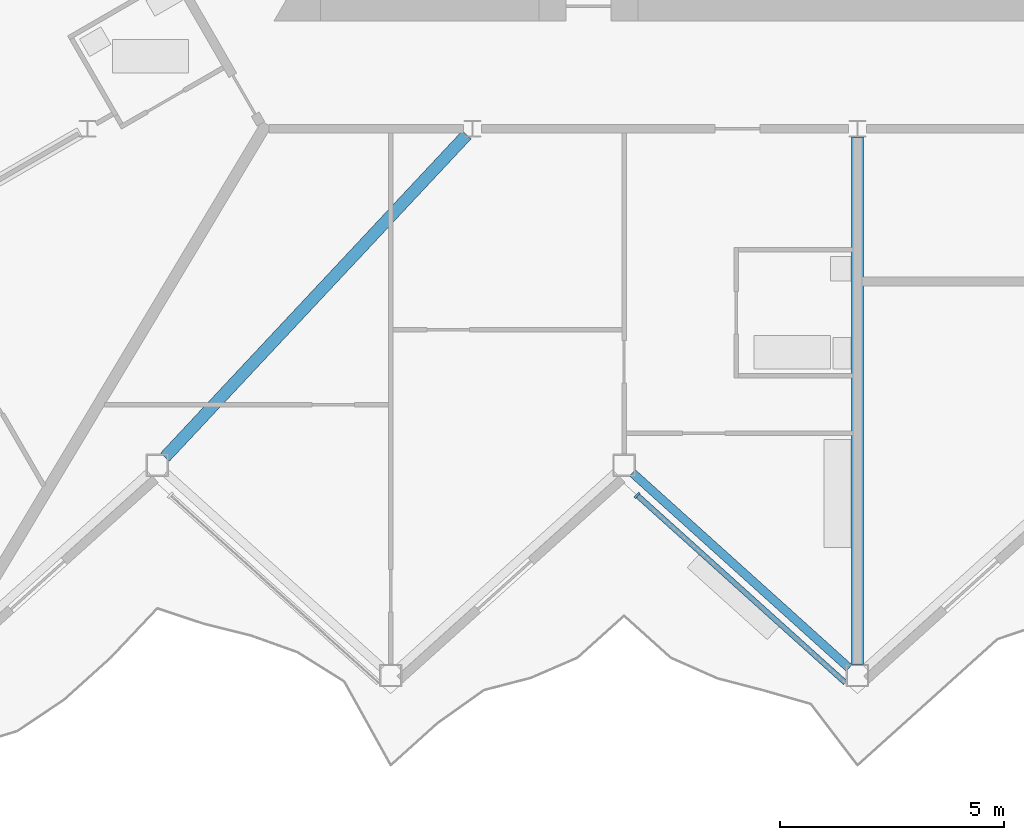
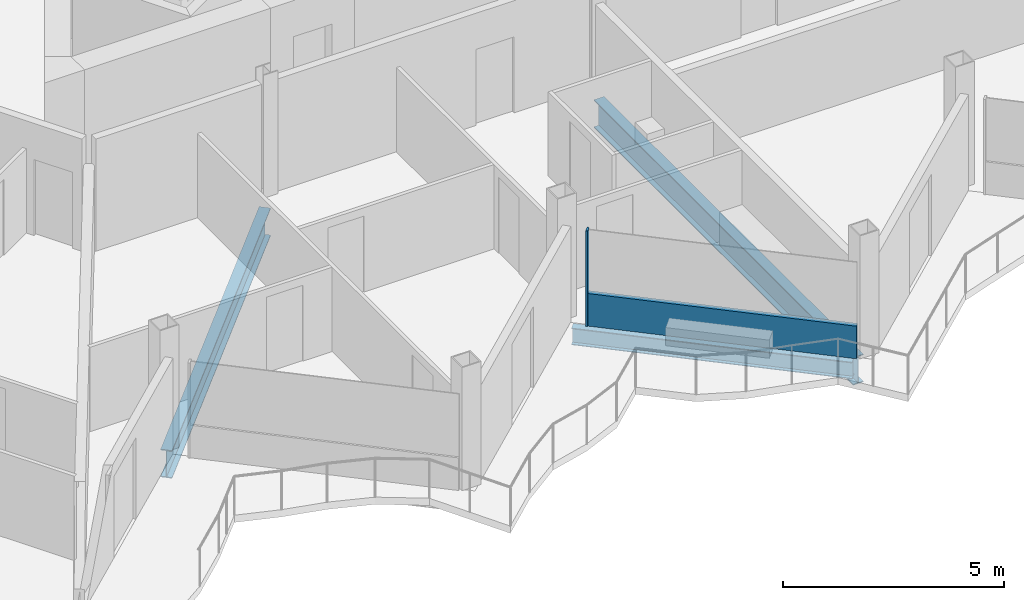
# One storey, part 5 of 26: 3 beams, 2 members, 1 element without a shape of its own.
"""IFC4 building model written with IfcOpenShell, lengths in metres."""

import ifcopenshell
import ifcopenshell.guid

model = None  # the IFC model being written
_history = None  # IfcOwnerHistory: only IFC2X3 demands one
_inside = {}  # id of a spatial element -> (the spatial element, [elements in it])
_under = {}  # id of a project, library or spatial element -> (it, [spatial elements below it])
_declared = {}  # id of a project -> (the project, [libraries it declares])
_typed = {}  # id of a type object -> (the type object, [elements of that type])
_made_of = {}  # id of a material, layer set ... -> (it, [elements and type objects made of it])


def new_model(schema):
    """Start an empty IFC model of exactly this schema.

    Asked for "IFC4X3", IfcOpenShell would pick the latest addendum, in which some entities
    have other attributes; the version numbers below select the first issue.
    IFC2X3 requires an IfcOwnerHistory on every rooted entity: one is made here for all.
    """
    global model, _history
    if schema == "IFC4X3":
        model = ifcopenshell.file(schema_version=(4, 3, 0, 0))
    else:
        model = ifcopenshell.file(schema=schema)
    _inside.clear()
    _under.clear()
    _declared.clear()
    _typed.clear()
    _made_of.clear()
    _history = None
    if model.schema == "IFC2X3":
        org = make("IfcOrganization", Name="unknown")
        user = make(
            "IfcPersonAndOrganization",
            ThePerson=make("IfcPerson", FamilyName="unknown"),
            TheOrganization=org,
        )
        app = make(
            "IfcApplication",
            ApplicationDeveloper=org,
            Version="unknown",
            ApplicationFullName="unknown",
            ApplicationIdentifier="unknown",
        )
        _history = make(
            "IfcOwnerHistory",
            OwningUser=user,
            OwningApplication=app,
            ChangeAction="ADDED",
            CreationDate=0,
        )
    return model


def make(cls, **values):
    """One entity of the class cls with the attributes given. An attribute that is None is left unset."""
    return model.create_entity(
        cls, **{name: value for name, value in values.items() if value is not None}
    )


def rooted(cls, **values):
    """An entity with a GlobalId (a new one), such as an element, a storey or a relation."""
    return make(cls, GlobalId=ifcopenshell.guid.new(), OwnerHistory=_history, **values)


def si_unit(unit_type, name, prefix=None):
    """IfcSIUnit, for example si_unit("LENGTHUNIT", "METRE", prefix="MILLI")."""
    return make("IfcSIUnit", UnitType=unit_type, Prefix=prefix, Name=name)


def assignment(units):
    """IfcUnitAssignment: the units of a project."""
    return None if units is None else make("IfcUnitAssignment", Units=units)


def point(xyz):
    """IfcCartesianPoint."""
    return None if xyz is None else make("IfcCartesianPoint", Coordinates=xyz)


def direction(xyz):
    """IfcDirection."""
    return None if xyz is None else make("IfcDirection", DirectionRatios=xyz)


def frame(location, z_axis=None, x_axis=None):
    """IfcAxis2Placement3D, a coordinate frame: its origin and axes. An axis left out is left unset."""
    return make(
        "IfcAxis2Placement3D",
        Location=point(location),
        Axis=direction(z_axis),
        RefDirection=direction(x_axis),
    )


def frame_2d(location, x_axis=None):
    """IfcAxis2Placement2D, a coordinate frame in the plane: its origin and x axis."""
    return make(
        "IfcAxis2Placement2D", Location=point(location), RefDirection=direction(x_axis)
    )


def origin():
    """The frame at (0, 0, 0) with its axes left unset."""
    return frame((0.0, 0.0, 0.0))


def origin_2d():
    """The frame at (0, 0) in the plane with its x axis left unset."""
    return frame_2d((0.0, 0.0))


def place(relative_to, where):
    """IfcLocalPlacement: puts the frame where relative to a parent placement (None: the world)."""
    return make(
        "IfcLocalPlacement", PlacementRelTo=relative_to, RelativePlacement=where
    )


def context(
    kind, dimensions, precision=None, world=None, true_north=None, identifier=None
):
    """IfcGeometricRepresentationContext, for example the 3D "Model" context."""
    return make(
        "IfcGeometricRepresentationContext",
        ContextIdentifier=identifier,
        ContextType=kind,
        CoordinateSpaceDimension=dimensions,
        Precision=precision,
        WorldCoordinateSystem=world,
        TrueNorth=true_north,
    )


def subcontext(parent, identifier, kind, view, scale=None):
    """IfcGeometricRepresentationSubContext, for example "Body" below "Model"."""
    return make(
        "IfcGeometricRepresentationSubContext",
        ContextIdentifier=identifier,
        ContextType=kind,
        ParentContext=parent,
        TargetScale=scale,
        TargetView=view,
    )


def project(units=None, contexts=None):
    """IfcProject with its units and contexts."""
    return rooted(
        "IfcProject",
        Name="project",
        RepresentationContexts=contexts,
        UnitsInContext=assignment(units),
    )


def spatial(cls, under=None, at=None, **own):
    """A site, building, storey or space (cls), placed at a placement, below another one or the project."""
    s = rooted(cls, ObjectPlacement=at, **own)
    if under is not None:
        _under.setdefault(under.id(), (under, []))[1].append(s)
    return s


def profile(cls, at=None, kind="AREA", **sizes):
    """A parametric profile (cls). Its sizes go by their IFC names, for example OverallWidth=200.0."""
    return make(cls, ProfileType=kind, Position=at, **sizes)


def rectangle(**sizes):
    """IfcRectangleProfileDef."""
    return profile("IfcRectangleProfileDef", **sizes)


def i_section(**sizes):
    """IfcIShapeProfileDef."""
    return profile("IfcIShapeProfileDef", **sizes)


def extrude(swept, where, along, depth):
    """IfcExtrudedAreaSolid: the profile swept, set in the frame where, extruded along a direction by depth."""
    return make(
        "IfcExtrudedAreaSolid",
        SweptArea=swept,
        Position=where,
        ExtrudedDirection=direction(along),
        Depth=depth,
    )


def shape(context_of_items, identifier, shape_type, items):
    """IfcShapeRepresentation: the items that make up one representation, for example the "Body"."""
    return make(
        "IfcShapeRepresentation",
        ContextOfItems=context_of_items,
        RepresentationIdentifier=identifier,
        RepresentationType=shape_type,
        Items=items,
    )


def material(Name=None, Category=None):
    """IfcMaterial."""
    return make("IfcMaterial", Name=Name, Category=Category)


def layer(
    of_material, thickness, ventilated=None, Name=None, Category=None, Priority=None
):
    """IfcMaterialLayer: one layer of a wall or slab, of a material (None: an air gap)."""
    return make(
        "IfcMaterialLayer",
        Material=of_material,
        LayerThickness=thickness,
        IsVentilated=ventilated,
        Name=Name,
        Category=Category,
        Priority=Priority,
    )


def layer_set(layers, Name=None):
    """IfcMaterialLayerSet."""
    return make("IfcMaterialLayerSet", MaterialLayers=layers, LayerSetName=Name)


def material_profile(
    of_material, cross_section, Name=None, Category=None, Priority=None
):
    """IfcMaterialProfile: a cross section and its material."""
    return make(
        "IfcMaterialProfile",
        Name=Name,
        Material=of_material,
        Profile=cross_section,
        Priority=Priority,
        Category=Category,
    )


def profile_set(profiles, Name=None, composite=None):
    """IfcMaterialProfileSet."""
    return make(
        "IfcMaterialProfileSet",
        Name=Name,
        MaterialProfiles=profiles,
        CompositeProfile=composite,
    )


def made_of(thing, what):
    """Note that an element or type object is made of a material, layer set ...; save() writes the relation."""
    if what is not None:
        _made_of.setdefault(what.id(), (what, []))[1].append(thing)
    return thing


def type_object(cls, material=None, **own):
    """A type object (cls), such as IfcWallType, which elements share."""
    return made_of(rooted(cls, **own), material)


def element(
    cls,
    number,
    at=None,
    inside=None,
    cuts=None,
    type_object=None,
    material=None,
    context=None,
    identifier="Body",
    shape_type=None,
    held_by="IfcProductDefinitionShape",
    body=None,
    shapes=None,
    **own,
):
    """One element of the class cls, such as IfcWall. Its Tag is "e" and its number.

    at: its placement. inside: the storey or other place that contains it. cuts: it is an
    opening in that element (IfcRelVoidsElement). A single representation is given by context,
    identifier, shape_type and body (its items); several are given by shapes. held_by: the class
    of the entity that holds the representations. save() writes the other relations.
    """
    e = rooted(cls, Tag="e%d" % number, ObjectPlacement=at, **own)
    if body is not None:
        shapes = [shape(context, identifier, shape_type, body)]
    if shapes is not None:
        e.Representation = make(held_by, Representations=shapes)
    if inside is not None:
        _inside.setdefault(inside.id(), (inside, []))[1].append(e)
    if cuts is not None:
        rooted(
            "IfcRelVoidsElement", RelatingBuildingElement=cuts, RelatedOpeningElement=e
        )
    if type_object is not None:
        _typed.setdefault(type_object.id(), (type_object, []))[1].append(e)
    return made_of(e, material)


def aggregate(whole, parts):
    """IfcRelAggregates: a whole, such as a stair, and the parts it consists of."""
    return rooted("IfcRelAggregates", RelatingObject=whole, RelatedObjects=parts)


def save(model, path):
    """Write the relations noted so far, then the file.

    IfcRelAggregates (storeys below a building ...), IfcRelContainedInSpatialStructure (elements
    in a storey), IfcRelDefinesByType, IfcRelAssociatesMaterial and IfcRelDeclares: one each for
    every whole, place, type object, material and project.
    """
    for whole, parts in _under.values():
        aggregate(whole, parts)
    for where, things in _inside.values():
        rooted(
            "IfcRelContainedInSpatialStructure",
            RelatedElements=things,
            RelatingStructure=where,
        )
    for kind, things in _typed.values():
        rooted("IfcRelDefinesByType", RelatedObjects=things, RelatingType=kind)
    for what, things in _made_of.values():
        rooted("IfcRelAssociatesMaterial", RelatedObjects=things, RelatingMaterial=what)
    for by, libraries in _declared.values():
        rooted("IfcRelDeclares", RelatingContext=by, RelatedDefinitions=libraries)
    model.write(path)


model = new_model("IFC4")

# Units and contexts
model_context = context("Model", 3, precision=1e-05, world=origin(), true_north=direction((0.0, 1.0)))
body_context = subcontext(model_context, "Body", "Model", "MODEL_VIEW")
ifc_project = project(units=[si_unit("LENGTHUNIT", "METRE"), si_unit("AREAUNIT", "SQUARE_METRE"), si_unit("VOLUMEUNIT", "CUBIC_METRE"), si_unit("PLANEANGLEUNIT", "RADIAN"), si_unit("MASSUNIT", "GRAM", prefix="KILO")], contexts=[model_context])

# Site, building, storey
site_placement = place(None, origin())
site = spatial("IfcSite", under=ifc_project, at=site_placement, CompositionType="ELEMENT")
building_placement = place(site_placement, origin())
building = spatial("IfcBuilding", under=site, at=building_placement, Name="Cormorant Prow Tower", CompositionType="ELEMENT")
storey_placement = place(building_placement, frame((0.0, 0.0, 381.39990234375)))
storey = spatial("IfcBuildingStorey", under=building, at=storey_placement, Name="L86", CompositionType="ELEMENT", Elevation=381.39990234375)

# Beams
ifc_material_1 = material(Name="Structural steel ASTM A992 Gr 50", Category="steel")
ifc_material_profile_1 = material_profile(ifc_material_1, i_section(OverallWidth=0.267822265625, OverallDepth=0.77001953125, WebThickness=0.015625, FlangeThickness=0.025390625, at=origin_2d()), Name="W30x132")
ifc_profile_set_1 = profile_set([ifc_material_profile_1], Name="Structural steel ASTM A992 Gr 50")
beam_type_1 = type_object("IfcBeamType", Name="Radial floor beam W30x132", PredefinedType="BEAM", material=ifc_profile_set_1)
beam_1_placement = place(storey_placement, frame((-8.706298828125, -10.0419921875, -0.684814453125), z_axis=(-0.683430760659, -0.730015339144, 0.0), x_axis=(0.730015339144, -0.683430760659, 0.0)))
element("IfcBeam", 1, at=beam_1_placement, inside=storey, type_object=beam_type_1, Name="Radial floor beam FB3 6 L86", PredefinedType="BEAM", context=body_context, shape_type="SweptSolid", body=[
    extrude(i_section(OverallWidth=0.267822265625, OverallDepth=0.77001953125, WebThickness=0.015625, FlangeThickness=0.025390625, at=origin_2d()), origin(), (0.0, 0.0, 1.0), 9.8369140625),
])
beam_2_placement = place(storey_placement, frame((0.0, -10.092529296875, -0.684814453125), z_axis=(0.0, -1.0, 0.0), x_axis=(1.0, 0.0, 0.0)))
element("IfcBeam", 2, at=beam_2_placement, inside=storey, type_object=beam_type_1, Name="Radial floor beam FB3 7 L86", PredefinedType="BEAM", context=body_context, shape_type="SweptSolid", body=[
    extrude(i_section(OverallWidth=0.267822265625, OverallDepth=0.77001953125, WebThickness=0.015625, FlangeThickness=0.025390625, at=origin_2d()), origin(), (0.0, 0.0, 1.0), 11.745361328125),
])

# Curtain wall, members
ifc_material_2 = material(Name="Aluminium 6063-T6", Category="aluminium")
ifc_layer = layer(ifc_material_2, 0.159912109375)
ifc_layer_set = layer_set([ifc_layer], Name="Aluminium 6063-T6")
curtain_wall_type = type_object("IfcCurtainWallType", Name="Residential unitised curtain wall 160", PredefinedType="NOTDEFINED", material=ifc_layer_set)
curtain_wall_placement = place(storey_placement, origin())
curtain_wall = element("IfcCurtainWall", 3, at=curtain_wall_placement, inside=storey, type_object=curtain_wall_type, Name="Residential curtain wall S04", PredefinedType="NOTDEFINED")
ifc_material_3 = material(Name="Aluminium 6063-T6", Category="aluminium")
ifc_material_profile_2 = material_profile(ifc_material_3, rectangle(XDim=0.159912109375, YDim=0.050048828125, at=origin_2d()), Name="Residential mullion 50x160")
ifc_profile_set_2 = profile_set([ifc_material_profile_2], Name="Aluminium 6063-T6")
member_type_1 = type_object("IfcMemberType", Name="Residential mullion 50x160", PredefinedType="MULLION", material=ifc_profile_set_2)
member_1_placement = place(storey_placement, frame((-4.909423828125, -18.0712890625, 0.0), z_axis=(0.0, 0.0, 1.0), x_axis=(0.669130603959, 0.743144827638, 0.0)))
member_1 = element("IfcMember", 4, at=member_1_placement, type_object=member_type_1, Name="Residential mullion S04", PredefinedType="MULLION", context=body_context, shape_type="SweptSolid", body=[
    extrude(rectangle(XDim=0.159912109375, YDim=0.050048828125, at=origin_2d()), origin(), (0.0, 0.0, 1.0), 2.634033203125),
])
ifc_material_4 = material(Name="Terracotta", Category="masonry")
ifc_material_profile_3 = material_profile(ifc_material_4, rectangle(XDim=0.1201171875, YDim=0.89990234375, at=origin_2d()), Name="Residential terracotta spandrel rail 120x900")
ifc_profile_set_3 = profile_set([ifc_material_profile_3], Name="Terracotta")
member_type_2 = type_object("IfcMemberType", Name="Residential terracotta spandrel rail 120x900", PredefinedType="USERDEFINED", material=ifc_profile_set_3)
member_2_placement = place(storey_placement, frame((-4.890869140625, -18.088134765625, 0.4501953125), z_axis=(0.743159360055, -0.669114463723, 0.0), x_axis=(0.669114463723, 0.743159360055, 0.0)))
member_2 = element("IfcMember", 5, at=member_2_placement, type_object=member_type_2, Name="Residential spandrel rail S04", ObjectType="TRANSOM", PredefinedType="USERDEFINED", context=body_context, shape_type="SweptSolid", body=[
    extrude(rectangle(XDim=0.1201171875, YDim=0.89990234375, at=origin_2d()), origin(), (0.0, 0.0, 1.0), 6.21533203125),
])
aggregate(curtain_wall, [member_1, member_2])

# Beam
ifc_material_5 = material(Name="Structural steel ASTM A992 Gr 50", Category="steel")
ifc_material_profile_4 = material_profile(ifc_material_5, i_section(OverallWidth=0.19287109375, OverallDepth=0.466064453125, WebThickness=0.011474609375, FlangeThickness=0.01904296875, at=origin_2d()), Name="W18x65")
ifc_profile_set_4 = profile_set([ifc_material_profile_4], Name="Structural steel ASTM A992 Gr 50")
beam_type_2 = type_object("IfcBeamType", Name="Spandrel beam W18x65", PredefinedType="SPANDREL", material=ifc_profile_set_4)
beam_3_placement = place(storey_placement, frame((-5.01416015625, -17.572998046875, -0.532958984375), z_axis=(0.743131573737, -0.669145323614, 0.0), x_axis=(0.669145323614, 0.743131573737, 0.0)))
element("IfcBeam", 6, at=beam_3_placement, inside=storey, type_object=beam_type_2, Name="Spandrel beam SB4 S04-S05 L86", PredefinedType="SPANDREL", context=body_context, shape_type="SweptSolid", body=[
    extrude(i_section(OverallWidth=0.19287109375, OverallDepth=0.466064453125, WebThickness=0.011474609375, FlangeThickness=0.01904296875, at=origin_2d()), origin(), (0.0, 0.0, 1.0), 6.497314453125),
])

save(model, "model.ifc")
